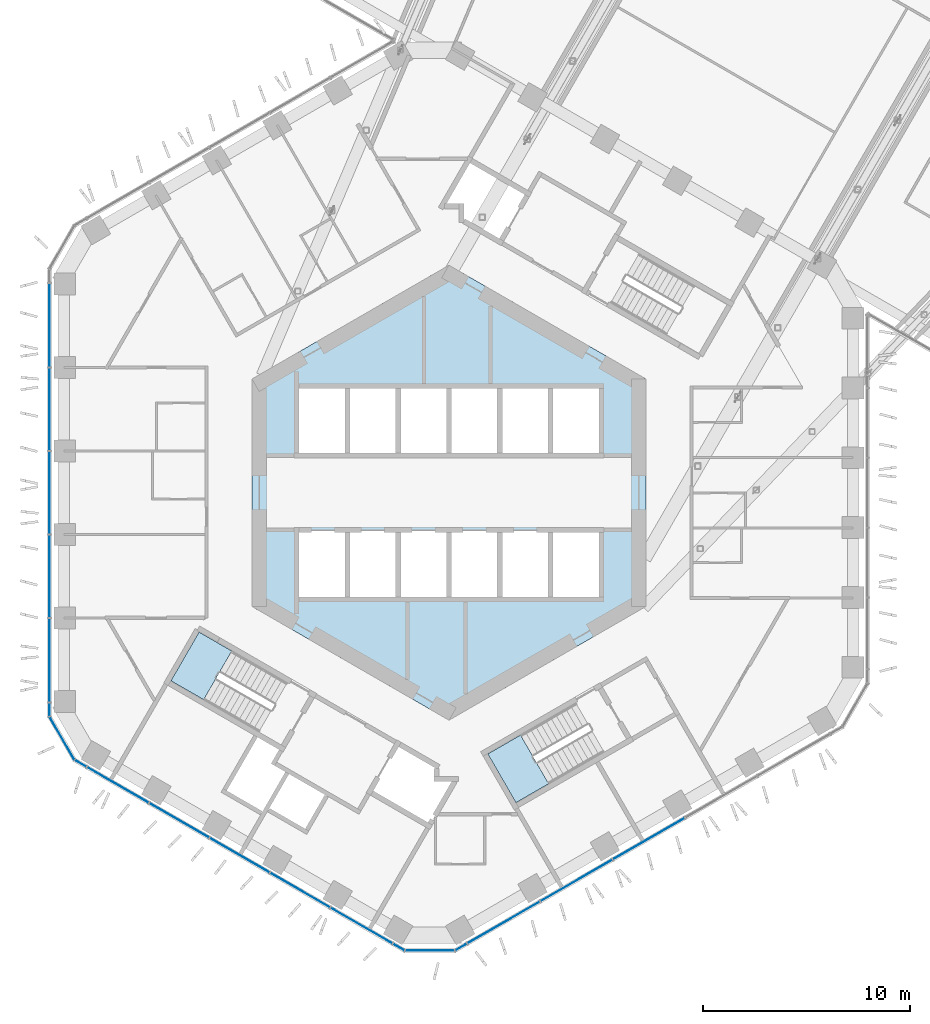
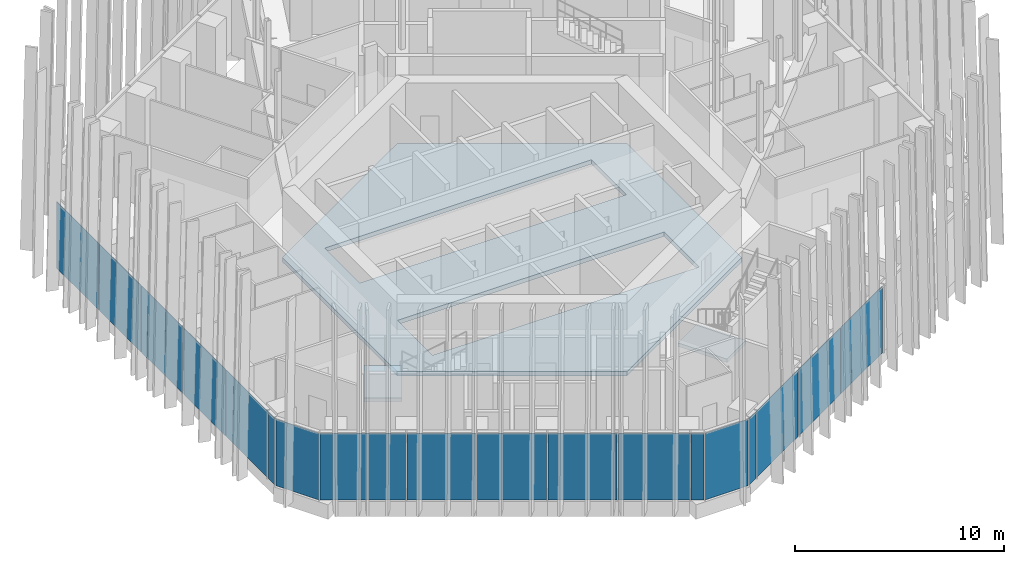
# One storey, part 13 of 31: 19 plates, 3 slabs, 7 elements without a shape of their own.
"""IFC4 building model written with IfcOpenShell, lengths in metres."""

from ifc_helpers import new_model, si_unit, direction, frame, origin, origin_2d, place, context, subcontext, project, spatial, polyline, rectangle, outline, extrude, material, layer, layer_set, type_object, element, aggregate, save


model = new_model("IFC4")

# Units and contexts
model_context = context("Model", 3, precision=1e-05, world=origin(), true_north=direction((0.0, 1.0)))
body_context = subcontext(model_context, "Body", "Model", "MODEL_VIEW")
ifc_project = project(units=[si_unit("LENGTHUNIT", "METRE"), si_unit("AREAUNIT", "SQUARE_METRE"), si_unit("VOLUMEUNIT", "CUBIC_METRE"), si_unit("PLANEANGLEUNIT", "RADIAN"), si_unit("MASSUNIT", "GRAM", prefix="KILO")], contexts=[model_context])

# Site, building, storey
site_placement = place(None, origin())
site = spatial("IfcSite", under=ifc_project, at=site_placement, CompositionType="ELEMENT")
building_placement = place(site_placement, origin())
building = spatial("IfcBuilding", under=site, at=building_placement, Name="Ayvan Gate Tower", CompositionType="ELEMENT")
storey_placement = place(building_placement, frame((0.0, 0.0, 135.89990234375)))
storey = spatial("IfcBuildingStorey", under=building, at=storey_placement, Name="L36", CompositionType="ELEMENT", Elevation=135.89990234375)

# Slab
ifc_material_1 = material(Name="Concrete C40/50", Category="concrete")
ifc_layer_1 = layer(ifc_material_1, 0.25)
ifc_layer_set_1 = layer_set([ifc_layer_1], Name="Concrete C40/50")
slab_type_1 = type_object("IfcSlabType", Name="SL-CORE-250", PredefinedType="FLOOR", material=ifc_layer_set_1)
slab_1_placement = place(storey_placement, frame((0.0, 0.0, -0.25)))
element("IfcSlab", 1, at=slab_1_placement, inside=storey, type_object=slab_type_1, Name="CS-L36", PredefinedType="FLOOR", context=body_context, shape_type="SweptSolid", body=[
    extrude(outline(polyline([(9.5, -5.48486328125), (0.0, -10.9697265625), (-9.5, -5.48486328125), (-9.5, 5.48486328125), (0.0, 10.9697265625), (9.5, 5.48486328125), (9.5, -5.48486328125)]), holes=[polyline([(-7.35009765625, -1.800048828125), (-7.35009765625, -5.14990234375), (7.35009765625, -5.14990234375), (7.35009765625, -1.800048828125), (-7.35009765625, -1.800048828125)]), polyline([(-7.35009765625, 5.14990234375), (-7.35009765625, 1.800048828125), (7.35009765625, 1.800048828125), (7.35009765625, 5.14990234375), (-7.35009765625, 5.14990234375)])]), origin(), (0.0, 0.0, 1.0), 0.25),
])

# Stair, slab
stair_type = type_object("IfcStairType", Name="ST-EXIT", PredefinedType="HALF_TURN_STAIR", material=ifc_material_1)
stair_1_placement = place(storey_placement, origin())
stair_1 = element("IfcStair", 2, at=stair_1_placement, inside=storey, type_object=stair_type, Name="L36 Exit Stair S2", PredefinedType="HALF_TURN_STAIR")
ifc_layer_2 = layer(ifc_material_1, 0.199951171875)
ifc_layer_set_2 = layer_set([ifc_layer_2], Name="Concrete C40/50")
slab_type_2 = type_object("IfcSlabType", Name="SL-LANDING-200", PredefinedType="LANDING", material=ifc_layer_set_2)
slab_2_placement = place(storey_placement, frame((0.0, 0.0, 1.800048828125)))
slab_2 = element("IfcSlab", 3, at=slab_2_placement, type_object=slab_type_2, Name="STS2 landing 1", PredefinedType="LANDING", context=body_context, shape_type="SweptSolid", body=[
    extrude(outline(polyline([(-10.473388671875, -7.630615234375), (-12.049560546875, -6.720458984375), (-13.404541015625, -9.0673828125), (-11.828369140625, -9.9775390625), (-10.473388671875, -7.630615234375)])), origin(), (0.0, 0.0, 1.0), 0.199951171875),
])
aggregate(stair_1, [slab_2])

stair_2_placement = place(storey_placement, origin())
stair_2 = element("IfcStair", 4, at=stair_2_placement, inside=storey, type_object=stair_type, Name="L36 Exit Stair S3", PredefinedType="HALF_TURN_STAIR")
slab_3_placement = place(storey_placement, frame((0.0, 0.0, 1.800048828125)))
slab_3 = element("IfcSlab", 5, at=slab_3_placement, type_object=slab_type_2, Name="STS3 landing 1", PredefinedType="LANDING", context=body_context, shape_type="SweptSolid", body=[
    extrude(outline(polyline([(3.449951171875, -11.685546875), (1.873779296875, -12.595458984375), (3.228759765625, -14.9423828125), (4.804931640625, -14.032470703125), (3.449951171875, -11.685546875)])), origin(), (0.0, 0.0, 1.0), 0.199951171875),
])
aggregate(stair_2, [slab_3])

# Curtain wall, plates
ifc_material_2 = material(Name="Bronze anodised aluminium", Category="aluminium")
ifc_layer_3 = layer(ifc_material_2, 0.199951171875)
ifc_layer_set_3 = layer_set([ifc_layer_3], Name="Bronze anodised aluminium")
curtain_wall_type_1 = type_object("IfcCurtainWallType", Name="Stick curtain wall CW-1", PredefinedType="NOTDEFINED", material=ifc_layer_set_3)
curtain_wall_1_placement = place(storey_placement, origin())
curtain_wall_1 = element("IfcCurtainWall", 6, at=curtain_wall_1_placement, inside=storey, type_object=curtain_wall_type_1, Name="Stick curtain wall CW-1 L36", PredefinedType="NOTDEFINED")
ifc_material_3 = material(Name="Clear low-iron laminated glass", Category="glass")
ifc_layer_4 = layer(ifc_material_3, 0.028076171875)
ifc_layer_set_4 = layer_set([ifc_layer_4], Name="Clear low-iron laminated glass")
plate_type_1 = type_object("IfcPlateType", Name="Stick curtain wall CW-1 glass panel", PredefinedType="CURTAIN_PANEL", material=ifc_layer_set_4)
plate_1_placement = place(storey_placement, frame((-19.263916015625, 8.09228515625, 0.000244140625), z_axis=(0.0, 0.0, 1.0), x_axis=(0.0, -1.0, 0.0)))
plate_1 = element("IfcPlate", 7, at=plate_1_placement, type_object=plate_type_1, Name="CW-1 glass panel 1", PredefinedType="CURTAIN_PANEL", context=body_context, shape_type="SweptSolid", body=[
    extrude(rectangle(XDim=4.0400390625, YDim=0.028076171875, at=origin_2d()), origin(), (0.0, 0.0, 1.0), 3.8798828125),
])
plate_2_placement = place(storey_placement, frame((-19.263916015625, 4.0283203125, 0.000244140625), z_axis=(0.0, 0.0, 1.0), x_axis=(0.0, -1.0, 0.0)))
plate_2 = element("IfcPlate", 8, at=plate_2_placement, type_object=plate_type_1, Name="CW-1 glass panel 2", PredefinedType="CURTAIN_PANEL", context=body_context, shape_type="SweptSolid", body=[
    extrude(rectangle(XDim=3.968017578125, YDim=0.028076171875, at=origin_2d()), origin(), (0.0, 0.0, 1.0), 3.8798828125),
])
plate_3_placement = place(storey_placement, frame((-19.263916015625, 0.000244140625, 0.000244140625), z_axis=(0.0, 0.0, 1.0), x_axis=(0.0, -1.0, 0.0)))
plate_3 = element("IfcPlate", 9, at=plate_3_placement, type_object=plate_type_1, Name="CW-1 glass panel 3", PredefinedType="CURTAIN_PANEL", context=body_context, shape_type="SweptSolid", body=[
    extrude(rectangle(XDim=3.968017578125, YDim=0.028076171875, at=origin_2d()), origin(), (0.0, 0.0, 1.0), 3.8798828125),
])
plate_4_placement = place(storey_placement, frame((-19.263916015625, -4.02783203125, 0.000244140625), z_axis=(0.0, 0.0, 1.0), x_axis=(0.0, -1.0, 0.0)))
plate_4 = element("IfcPlate", 10, at=plate_4_placement, type_object=plate_type_1, Name="CW-1 glass panel 4", PredefinedType="CURTAIN_PANEL", context=body_context, shape_type="SweptSolid", body=[
    extrude(rectangle(XDim=3.968017578125, YDim=0.028076171875, at=origin_2d()), origin(), (0.0, 0.0, 1.0), 3.8798828125),
])
plate_5_placement = place(storey_placement, frame((-19.263916015625, -8.092041015625, 0.000244140625), z_axis=(0.0, 0.0, 1.0), x_axis=(0.0, -1.0, 0.0)))
plate_5 = element("IfcPlate", 11, at=plate_5_placement, type_object=plate_type_1, Name="CW-1 glass panel 5", PredefinedType="CURTAIN_PANEL", context=body_context, shape_type="SweptSolid", body=[
    extrude(rectangle(XDim=4.04052734375, YDim=0.028076171875, at=origin_2d()), origin(), (0.0, 0.0, 1.0), 3.8798828125),
])
aggregate(curtain_wall_1, [plate_1, plate_2, plate_3, plate_4, plate_5])

curtain_wall_2_placement = place(storey_placement, origin())
curtain_wall_2 = element("IfcCurtainWall", 12, at=curtain_wall_2_placement, inside=storey, type_object=curtain_wall_type_1, Name="Stick curtain wall CW-1 L36", PredefinedType="NOTDEFINED")
plate_6_placement = place(storey_placement, frame((-15.97900390625, -14.082763671875, 0.000244140625), z_axis=(0.0, 0.0, 1.0), x_axis=(0.866025403784, -0.5, 0.0)))
plate_6 = element("IfcPlate", 13, at=plate_6_placement, type_object=plate_type_1, Name="CW-1 glass panel 1", PredefinedType="CURTAIN_PANEL", context=body_context, shape_type="SweptSolid", body=[
    extrude(rectangle(XDim=3.43798828125, YDim=0.028076171875, at=origin_2d()), origin(), (0.0, 0.0, 1.0), 3.8798828125),
])
plate_7_placement = place(storey_placement, frame((-13.00732421875, -15.798583984375, 0.000244140625), z_axis=(0.0, 0.0, 1.0), x_axis=(0.866025403784, -0.5, 0.0)))
plate_7 = element("IfcPlate", 14, at=plate_7_placement, type_object=plate_type_1, Name="CW-1 glass panel 2", PredefinedType="CURTAIN_PANEL", context=body_context, shape_type="SweptSolid", body=[
    extrude(rectangle(XDim=3.304931640625, YDim=0.028076171875, at=origin_2d()), origin(), (0.0, 0.0, 1.0), 3.8798828125),
])
plate_8_placement = place(storey_placement, frame((-10.0927734375, -17.481201171875, 0.000244140625), z_axis=(0.0, 0.0, 1.0), x_axis=(0.866025403784, -0.5, 0.0)))
plate_8 = element("IfcPlate", 15, at=plate_8_placement, type_object=plate_type_1, Name="CW-1 glass panel 3", PredefinedType="CURTAIN_PANEL", context=body_context, shape_type="SweptSolid", body=[
    extrude(rectangle(XDim=3.305908203125, YDim=0.028076171875, at=origin_2d()), origin(), (0.0, 0.0, 1.0), 3.8798828125),
])
plate_9_placement = place(storey_placement, frame((-7.177978515625, -19.1640625, 0.000244140625), z_axis=(0.0, 0.0, 1.0), x_axis=(0.866025403784, -0.5, 0.0)))
plate_9 = element("IfcPlate", 16, at=plate_9_placement, type_object=plate_type_1, Name="CW-1 glass panel 4", PredefinedType="CURTAIN_PANEL", context=body_context, shape_type="SweptSolid", body=[
    extrude(rectangle(XDim=3.304931640625, YDim=0.028076171875, at=origin_2d()), origin(), (0.0, 0.0, 1.0), 3.8798828125),
])
plate_10_placement = place(storey_placement, frame((-4.206298828125, -20.879638671875, 0.000244140625), z_axis=(0.0, 0.0, 1.0), x_axis=(0.866025403784, -0.5, 0.0)))
plate_10 = element("IfcPlate", 17, at=plate_10_placement, type_object=plate_type_1, Name="CW-1 glass panel 5", PredefinedType="CURTAIN_PANEL", context=body_context, shape_type="SweptSolid", body=[
    extrude(rectangle(XDim=3.437744140625, YDim=0.028076171875, at=origin_2d()), origin(), (0.0, 0.0, 1.0), 3.8798828125),
])
aggregate(curtain_wall_2, [plate_6, plate_7, plate_8, plate_9, plate_10])

curtain_wall_3_placement = place(storey_placement, origin())
curtain_wall_3 = element("IfcCurtainWall", 18, at=curtain_wall_3_placement, inside=storey, type_object=curtain_wall_type_1, Name="Stick curtain wall CW-1 L36", PredefinedType="NOTDEFINED")
plate_11_placement = place(storey_placement, frame((2.6240234375, -20.729248046875, 0.000244140625), z_axis=(0.0, 0.0, 1.0), x_axis=(0.866025403784, 0.5, 0.0)))
plate_11 = element("IfcPlate", 19, at=plate_11_placement, type_object=plate_type_1, Name="CW-1 glass panel 1", PredefinedType="CURTAIN_PANEL", context=body_context, shape_type="SweptSolid", body=[
    extrude(rectangle(XDim=4.0400390625, YDim=0.028076171875, at=origin_2d()), origin(), (0.0, 0.0, 1.0), 3.8798828125),
])
plate_12_placement = place(storey_placement, frame((6.1435546875, -18.697265625, 0.000244140625), z_axis=(0.0, 0.0, 1.0), x_axis=(0.866025403784, 0.5, 0.0)))
plate_12 = element("IfcPlate", 20, at=plate_12_placement, type_object=plate_type_1, Name="CW-1 glass panel 2", PredefinedType="CURTAIN_PANEL", context=body_context, shape_type="SweptSolid", body=[
    extrude(rectangle(XDim=3.968017578125, YDim=0.028076171875, at=origin_2d()), origin(), (0.0, 0.0, 1.0), 3.8798828125),
])
plate_13_placement = place(storey_placement, frame((9.6318359375, -16.68310546875, 0.000244140625), z_axis=(0.0, 0.0, 1.0), x_axis=(0.866025403784, 0.5, 0.0)))
plate_13 = element("IfcPlate", 21, at=plate_13_placement, type_object=plate_type_1, Name="CW-1 glass panel 3", PredefinedType="CURTAIN_PANEL", context=body_context, shape_type="SweptSolid", body=[
    extrude(rectangle(XDim=3.968017578125, YDim=0.028076171875, at=origin_2d()), origin(), (0.0, 0.0, 1.0), 3.8798828125),
])
aggregate(curtain_wall_3, [plate_11, plate_12, plate_13])

ifc_layer_5 = layer(ifc_material_2, 0.199951171875)
ifc_layer_set_5 = layer_set([ifc_layer_5], Name="Bronze anodised aluminium")
curtain_wall_type_2 = type_object("IfcCurtainWallType", Name="Stick curtain wall CW-6", PredefinedType="NOTDEFINED", material=ifc_layer_set_5)
curtain_wall_4_placement = place(storey_placement, origin())
curtain_wall_4 = element("IfcCurtainWall", 22, at=curtain_wall_4_placement, inside=storey, type_object=curtain_wall_type_2, Name="Stick curtain wall CW-6 L36", PredefinedType="NOTDEFINED")
ifc_layer_6 = layer(ifc_material_3, 0.028076171875)
ifc_layer_set_6 = layer_set([ifc_layer_6], Name="Clear low-iron laminated glass")
plate_type_2 = type_object("IfcPlateType", Name="Stick curtain wall CW-6 glass panel", PredefinedType="CURTAIN_PANEL", material=ifc_layer_set_6)
plate_14_placement = place(storey_placement, frame((-19.263916015625, -10.45458984375, 0.000244140625), z_axis=(0.0, 0.0, 1.0), x_axis=(0.0, -1.0, 0.0)))
plate_14 = element("IfcPlate", 23, at=plate_14_placement, type_object=plate_type_2, Name="CW-6 glass panel 1", PredefinedType="CURTAIN_PANEL", context=body_context, shape_type="SweptSolid", body=[
    extrude(rectangle(XDim=0.625, YDim=0.028076171875, at=origin_2d()), origin(), (0.0, 0.0, 1.0), 3.8798828125),
])
plate_15_placement = place(storey_placement, frame((-18.660400390625, -11.837646484375, 0.000244140625), z_axis=(0.0, 0.0, 1.0), x_axis=(0.5, -0.866025403784, 0.0)))
plate_15 = element("IfcPlate", 24, at=plate_15_placement, type_object=plate_type_2, Name="CW-6 glass panel 2", PredefinedType="CURTAIN_PANEL", context=body_context, shape_type="SweptSolid", body=[
    extrude(rectangle(XDim=2.364501953125, YDim=0.028076171875, at=origin_2d()), origin(), (0.0, 0.0, 1.0), 3.8798828125),
])
plate_16_placement = place(storey_placement, frame((-17.764404296875, -13.052001953125, 0.000244140625), z_axis=(0.0, 0.0, 1.0), x_axis=(0.866025403784, -0.5, 0.0)))
plate_16 = element("IfcPlate", 25, at=plate_16_placement, type_object=plate_type_2, Name="CW-6 glass panel 3", PredefinedType="CURTAIN_PANEL", context=body_context, shape_type="SweptSolid", body=[
    extrude(rectangle(XDim=0.625, YDim=0.028076171875, at=origin_2d()), origin(), (0.0, 0.0, 1.0), 3.8798828125),
])
aggregate(curtain_wall_4, [plate_14, plate_15, plate_16])

curtain_wall_5_placement = place(storey_placement, origin())
curtain_wall_5 = element("IfcCurtainWall", 26, at=curtain_wall_5_placement, inside=storey, type_object=curtain_wall_type_2, Name="Stick curtain wall CW-6 L36", PredefinedType="NOTDEFINED")
plate_17_placement = place(storey_placement, frame((-2.421142578125, -21.910400390625, 0.000244140625), z_axis=(0.0, 0.0, 1.0), x_axis=(0.866025403784, -0.5, 0.0)))
plate_17 = element("IfcPlate", 27, at=plate_17_placement, type_object=plate_type_2, Name="CW-6 glass panel 1", PredefinedType="CURTAIN_PANEL", context=body_context, shape_type="SweptSolid", body=[
    extrude(rectangle(XDim=0.625, YDim=0.028076171875, at=origin_2d()), origin(), (0.0, 0.0, 1.0), 3.8798828125),
])
plate_18_placement = place(storey_placement, frame((-0.921630859375, -22.0791015625, 0.000244140625), z_axis=(0.0, 0.0, 1.0), x_axis=(1.0, 0.0, 0.0)))
plate_18 = element("IfcPlate", 28, at=plate_18_placement, type_object=plate_type_2, Name="CW-6 glass panel 2", PredefinedType="CURTAIN_PANEL", context=body_context, shape_type="SweptSolid", body=[
    extrude(rectangle(XDim=2.364501953125, YDim=0.028076171875, at=origin_2d()), origin(), (0.0, 0.0, 1.0), 3.8798828125),
])
plate_19_placement = place(storey_placement, frame((0.577880859375, -21.910400390625, 0.000244140625), z_axis=(0.0, 0.0, 1.0), x_axis=(0.866025403784, 0.5, 0.0)))
plate_19 = element("IfcPlate", 29, at=plate_19_placement, type_object=plate_type_2, Name="CW-6 glass panel 3", PredefinedType="CURTAIN_PANEL", context=body_context, shape_type="SweptSolid", body=[
    extrude(rectangle(XDim=0.625, YDim=0.028076171875, at=origin_2d()), origin(), (0.0, 0.0, 1.0), 3.8798828125),
])
aggregate(curtain_wall_5, [plate_17, plate_18, plate_19])

save(model, "model.ifc")
